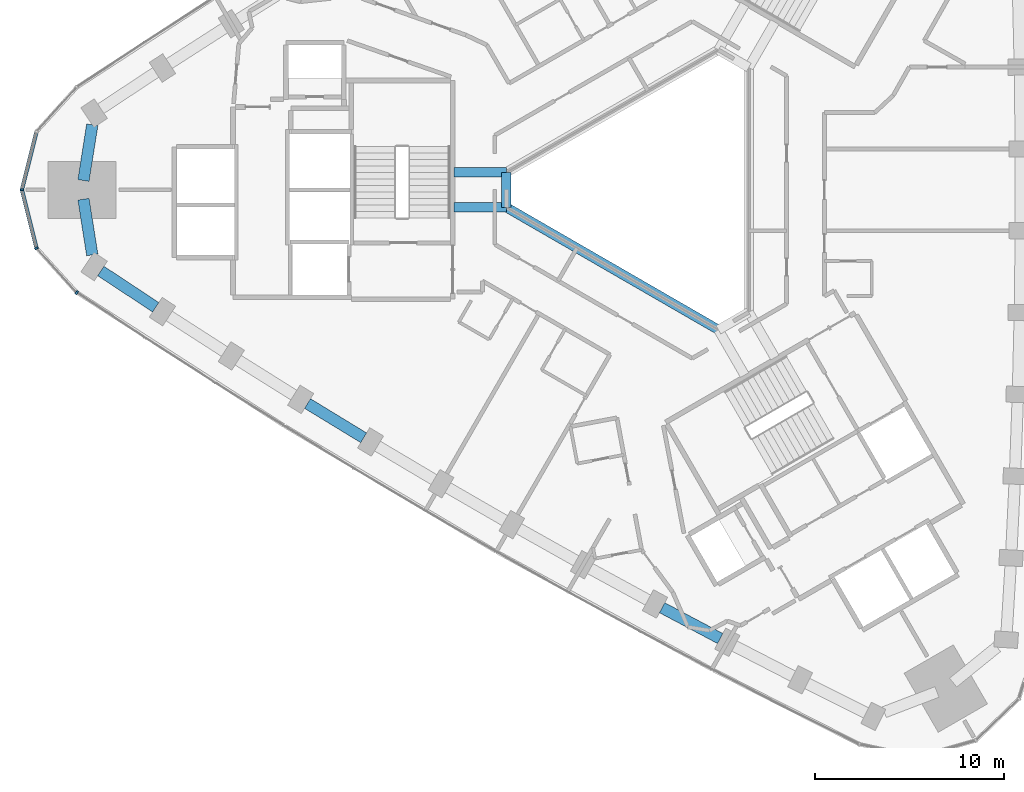
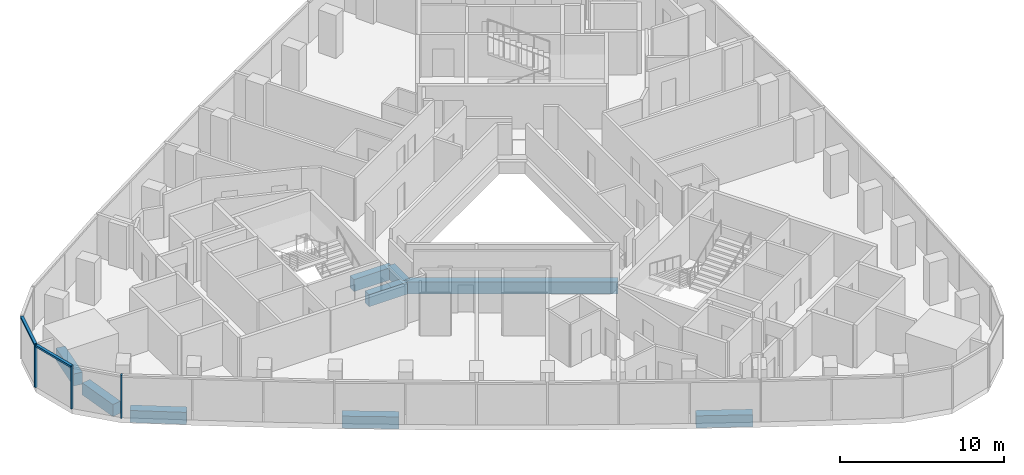
# One storey, part 2 of 13: 9 beams, 5 members, 2 elements without a shape of their own.
"""IFC4 building model written with IfcOpenShell, lengths in metres."""

from ifc_helpers import new_model, si_unit, direction, frame, origin, origin_2d, place, context, subcontext, project, spatial, rectangle, extrude, material, material_profile, profile_set, type_object, element, aggregate, save


model = new_model("IFC4")

# Units and contexts
model_context = context("Model", 3, precision=1e-05, world=origin(), true_north=direction((0.0, 1.0)))
body_context = subcontext(model_context, "Body", "Model", "MODEL_VIEW")
ifc_project = project(units=[si_unit("LENGTHUNIT", "METRE"), si_unit("AREAUNIT", "SQUARE_METRE"), si_unit("VOLUMEUNIT", "CUBIC_METRE"), si_unit("PLANEANGLEUNIT", "RADIAN"), si_unit("MASSUNIT", "GRAM", prefix="KILO")], contexts=[model_context])

# Site, building, storey
site_placement = place(None, origin())
site = spatial("IfcSite", under=ifc_project, at=site_placement, CompositionType="ELEMENT")
building_placement = place(site_placement, origin())
building = spatial("IfcBuilding", under=site, at=building_placement, Name="Tamra Quay Hotel Tower", CompositionType="ELEMENT")
storey_placement = place(building_placement, frame((0.0, 0.0, 132.39990234375)))
storey = spatial("IfcBuildingStorey", under=building, at=storey_placement, Name="L32", CompositionType="ELEMENT", Elevation=132.39990234375)

# Beams
ifc_material_1 = material(Name="Concrete M60", Category="concrete")
ifc_material_profile_1 = material_profile(ifc_material_1, rectangle(XDim=0.5, YDim=0.89990234375, at=origin_2d()), Name="ATRIUM EDGE BEAM RC 500x900")
ifc_profile_set_1 = profile_set([ifc_material_profile_1], Name="Concrete M60")
beam_type_1 = type_object("IfcBeamType", Name="ATRIUM EDGE BEAM RC 500x900", PredefinedType="BEAM", material=ifc_profile_set_1)
beam_1_placement = place(storey_placement, frame((3.199951171875, -7.39013671875, -0.849853515625), z_axis=(-0.866024942741, 0.500000798549, 0.0), x_axis=(-0.500000798549, -0.866024942741, 0.0)))
element("IfcBeam", 1, at=beam_1_placement, inside=storey, type_object=beam_type_1, Name="BM-AB2-L32", PredefinedType="BEAM", context=body_context, shape_type="SweptSolid", body=[
    extrude(rectangle(XDim=0.5, YDim=0.89990234375, at=origin_2d()), origin(), (0.0, 0.0, 1.0), 12.9326171875),
])
beam_2_placement = place(storey_placement, frame((-8.0, -0.923828125, -0.849853515625), z_axis=(0.0, 1.0, 0.0), x_axis=(-1.0, 0.0, 0.0)))
element("IfcBeam", 2, at=beam_2_placement, inside=storey, type_object=beam_type_1, Name="BM-AB3-L32", PredefinedType="BEAM", context=body_context, shape_type="SweptSolid", body=[
    extrude(rectangle(XDim=0.5, YDim=0.89990234375, at=origin_2d()), origin(), (0.0, 0.0, 1.0), 1.84765625),
])
ifc_material_profile_2 = material_profile(ifc_material_1, rectangle(XDim=0.5, YDim=0.89990234375, at=origin_2d()), Name="ATRIUM TIE BEAM RC 500x900")
ifc_profile_set_2 = profile_set([ifc_material_profile_2], Name="Concrete M60")
beam_type_2 = type_object("IfcBeamType", Name="ATRIUM TIE BEAM RC 500x900", PredefinedType="BEAM", material=ifc_profile_set_2)
for number, where, z_axis, x_axis, name in (
    (3, (-8.0, -0.923828125, -0.849853515625), (-1.0, 0.0, 0.0), (0.0, -1.0, 0.0), "BM-TIE-3-L32"),
    (4, (-8.0, 0.923828125, -0.849853515625), (-1.0, 0.0, 0.0), (0.0, -1.0, 0.0), "BM-TIE-4-L32"),
):
    element("IfcBeam", number, at=place(storey_placement, frame(where, z_axis=z_axis, x_axis=x_axis)), inside=storey, type_object=beam_type_2, Name=name, PredefinedType="BEAM", context=body_context, shape_type="SweptSolid", body=[
        extrude(rectangle(XDim=0.5, YDim=0.89990234375, at=origin_2d()), origin(), (0.0, 0.0, 1.0), 2.76220703125),
    ])

# Curtain wall, members
ifc_material_2 = material(Name="Aluminium 6063 anodised dark grey", Category="aluminium")
curtain_wall_type_1 = type_object("IfcCurtainWallType", Name="CW2 CURTAIN WALL", PredefinedType="NOTDEFINED", material=ifc_material_2)
curtain_wall_1_placement = place(storey_placement, origin())
curtain_wall_1 = element("IfcCurtainWall", 5, at=curtain_wall_1_placement, inside=storey, type_object=curtain_wall_type_1, Name="CW2 north-west face L32", PredefinedType="NOTDEFINED")
ifc_material_profile_3 = material_profile(ifc_material_2, rectangle(XDim=0.199951171875, YDim=0.10009765625, at=origin_2d()), Name="MULLION 100X200")
ifc_profile_set_3 = profile_set([ifc_material_profile_3], Name="Aluminium 6063 anodised dark grey")
member_type_1 = type_object("IfcMemberType", Name="MULLION CW2 Z3", PredefinedType="MULLION", material=ifc_profile_set_3)
member_1_placement = place(storey_placement, frame((-33.588134765625, 0.0, 0.0), z_axis=(0.0, 0.0, 1.0), x_axis=(-1.0, 0.0, 0.0)))
member_1 = element("IfcMember", 6, at=member_1_placement, type_object=member_type_1, Name="CW2 mullion L32.NW.14", PredefinedType="MULLION", context=body_context, shape_type="SweptSolid", body=[
    extrude(rectangle(XDim=0.199951171875, YDim=0.10009765625, at=origin_2d()), origin(), (0.0, 0.0, 1.0), 3.2001953125),
])
member_2_placement = place(storey_placement, frame((-32.81787109375, -3.075439453125, 0.0), z_axis=(0.0, 0.0, 1.0), x_axis=(-0.881925145425, -0.47138947577, 0.0)))
member_2 = element("IfcMember", 7, at=member_2_placement, type_object=member_type_1, Name="CW2 mullion L32.NW.15", PredefinedType="MULLION", context=body_context, shape_type="SweptSolid", body=[
    extrude(rectangle(XDim=0.199951171875, YDim=0.10009765625, at=origin_2d()), origin(), (0.0, 0.0, 1.0), 3.2001953125),
])

# Curtain wall, member
curtain_wall_type_2 = type_object("IfcCurtainWallType", Name="CW3 CURTAIN WALL", PredefinedType="NOTDEFINED", material=ifc_material_2)
curtain_wall_2_placement = place(storey_placement, origin())
curtain_wall_2 = element("IfcCurtainWall", 8, at=curtain_wall_2_placement, inside=storey, type_object=curtain_wall_type_2, Name="CW3 south-west face L32", PredefinedType="NOTDEFINED")
ifc_material_profile_4 = material_profile(ifc_material_2, rectangle(XDim=0.199951171875, YDim=0.10009765625, at=origin_2d()), Name="MULLION 100X200")
ifc_profile_set_4 = profile_set([ifc_material_profile_4], Name="Aluminium 6063 anodised dark grey")
member_type_2 = type_object("IfcMemberType", Name="MULLION CW3 Z3", PredefinedType="MULLION", material=ifc_profile_set_4)
member_3_placement = place(storey_placement, frame((-30.688720703125, -5.424560546875, 0.0), z_axis=(0.0, 0.0, 1.0), x_axis=(-0.650989312843, -0.759086895266, 0.0)))
member_3 = element("IfcMember", 9, at=member_3_placement, type_object=member_type_2, Name="CW3 mullion L32.SW.1", PredefinedType="MULLION", context=body_context, shape_type="SweptSolid", body=[
    extrude(rectangle(XDim=0.199951171875, YDim=0.10009765625, at=origin_2d()), origin(), (0.0, 0.0, 1.0), 3.2001953125),
])
aggregate(curtain_wall_2, [member_3])

# Beams
ifc_material_profile_5 = material_profile(ifc_material_1, rectangle(XDim=0.60009765625, YDim=0.89990234375, at=origin_2d()), Name="SPANDREL BEAM RC 600x900")
ifc_profile_set_5 = profile_set([ifc_material_profile_5], Name="Concrete M60")
beam_type_3 = type_object("IfcBeamType", Name="SPANDREL BEAM RC 600x900", PredefinedType="SPANDREL", material=ifc_profile_set_5)
for number, where, z_axis, x_axis, name in (
    (10, (-29.87060546875, 3.434814453125, -0.849853515625), (-0.156337236308, -0.987703735208, 0.0), (0.987703735208, -0.156337236308, 0.0), "BM-SP3-024-L32"),
    (11, (-30.336181640625, -0.493408203125, -0.849853515625), (0.156337236308, -0.987703735208, 0.0), (0.987703735208, 0.156337236308, 0.0), "BM-SP3-025-L32"),
):
    element("IfcBeam", number, at=place(storey_placement, frame(where, z_axis=z_axis, x_axis=x_axis)), inside=storey, type_object=beam_type_3, Name=name, PredefinedType="SPANDREL", context=body_context, shape_type="SweptSolid", body=[
        extrude(rectangle(XDim=0.60009765625, YDim=0.89990234375, at=origin_2d()), origin(), (0.0, 0.0, 1.0), 2.97802734375),
    ])
beam_3_placement = place(storey_placement, frame((-29.41796875, -4.28759765625, -0.849853515625), z_axis=(0.834690851507, -0.55071878705, 0.0), x_axis=(0.55071878705, 0.834690851507, 0.0)))
element("IfcBeam", 12, at=beam_3_placement, inside=storey, type_object=beam_type_3, Name="BM-SP3-026-L32", PredefinedType="SPANDREL", context=body_context, shape_type="SweptSolid", body=[
    extrude(rectangle(XDim=0.60009765625, YDim=0.89990234375, at=origin_2d()), origin(), (0.0, 0.0, 1.0), 3.472412109375),
])
beam_4_placement = place(storey_placement, frame((-18.502197265625, -11.287109375, -0.849853515625), z_axis=(0.853835813207, -0.520542413339, 0.0), x_axis=(0.520542413339, 0.853835813207, 0.0)))
element("IfcBeam", 13, at=beam_4_placement, inside=storey, type_object=beam_type_3, Name="BM-SP3-029-L32", PredefinedType="SPANDREL", context=body_context, shape_type="SweptSolid", body=[
    extrude(rectangle(XDim=0.60009765625, YDim=0.89990234375, at=origin_2d()), origin(), (0.0, 0.0, 1.0), 3.47216796875),
])
beam_5_placement = place(storey_placement, frame((0.224609375, -22.06982421875, -0.849853515625), z_axis=(0.883411391477, -0.468598243071, 0.0), x_axis=(0.468598243071, 0.883411391477, 0.0)))
element("IfcBeam", 14, at=beam_5_placement, inside=storey, type_object=beam_type_3, Name="BM-SP3-034-L32", PredefinedType="SPANDREL", context=body_context, shape_type="SweptSolid", body=[
    extrude(rectangle(XDim=0.60009765625, YDim=0.89990234375, at=origin_2d()), origin(), (0.0, 0.0, 1.0), 3.472412109375),
])

# Member
ifc_material_profile_6 = material_profile(ifc_material_2, rectangle(XDim=0.199951171875, YDim=0.139892578125, at=origin_2d()), Name="TRANSOM 200X140")
ifc_profile_set_6 = profile_set([ifc_material_profile_6], Name="Aluminium 6063 anodised dark grey")
member_type_3 = type_object("IfcMemberType", Name="TRANSOM CW2 Z3", PredefinedType="USERDEFINED", material=ifc_profile_set_6)
member_4_placement = place(storey_placement, frame((-32.830078125, 3.02685546875, 3.130126953125), z_axis=(-0.243003342732, -0.970025450914, 0.0), x_axis=(0.970025450914, -0.243003342732, 0.0)))
member_4 = element("IfcMember", 15, at=member_4_placement, type_object=member_type_3, Name="CW2 transom L32.NW.13", ObjectType="TRANSOM", PredefinedType="USERDEFINED", context=body_context, shape_type="SweptSolid", body=[
    extrude(rectangle(XDim=0.199951171875, YDim=0.139892578125, at=origin_2d()), origin(), (0.0, 0.0, 1.0), 3.0703125),
])

member_5_placement = place(storey_placement, frame((-33.576171875, -0.048583984375, 3.130126953125), z_axis=(0.243003342732, -0.970025450914, 0.0), x_axis=(0.970025450914, 0.243003342732, 0.0)))
member_5 = element("IfcMember", 16, at=member_5_placement, type_object=member_type_3, Name="CW2 transom L32.NW.14", ObjectType="TRANSOM", PredefinedType="USERDEFINED", context=body_context, shape_type="SweptSolid", body=[
    extrude(rectangle(XDim=0.199951171875, YDim=0.139892578125, at=origin_2d()), origin(), (0.0, 0.0, 1.0), 3.0703125),
])

aggregate(curtain_wall_1, [member_4, member_1, member_5, member_2])

save(model, "model.ifc")
